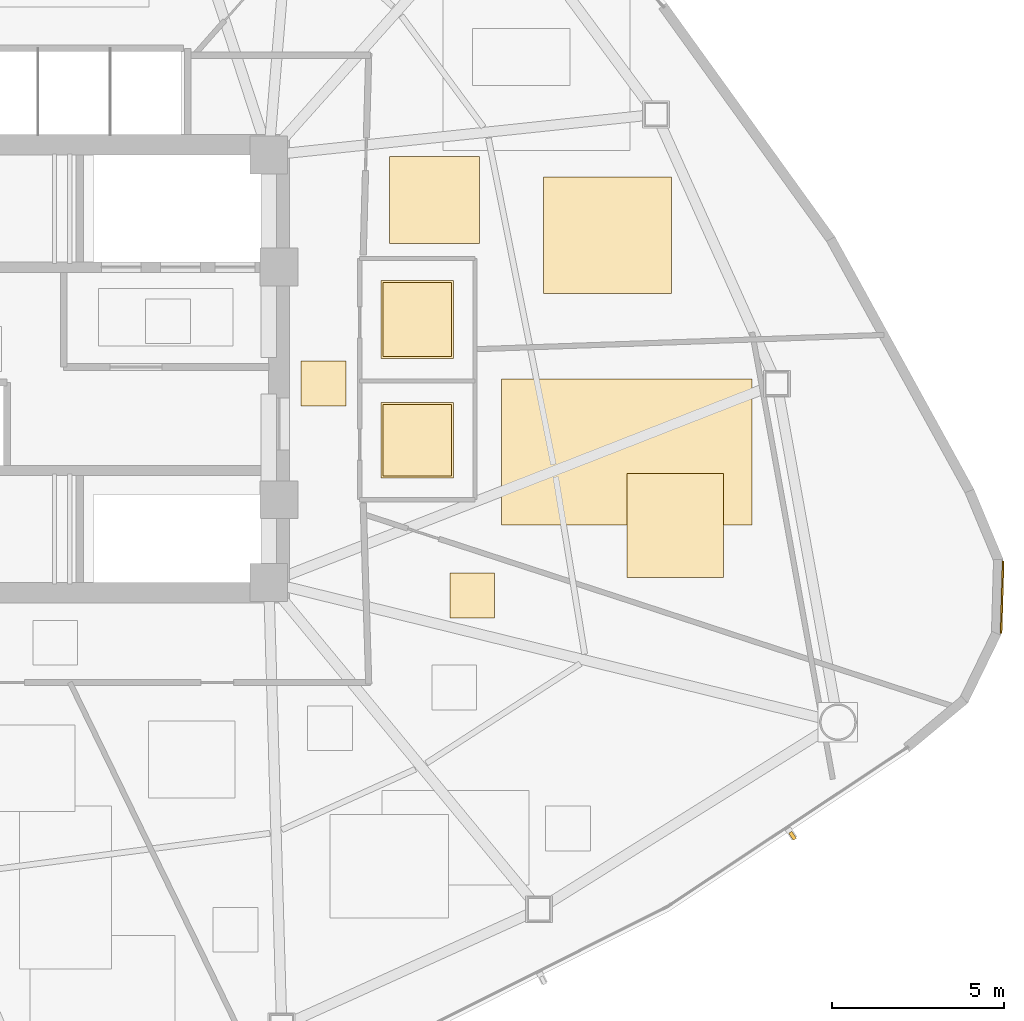
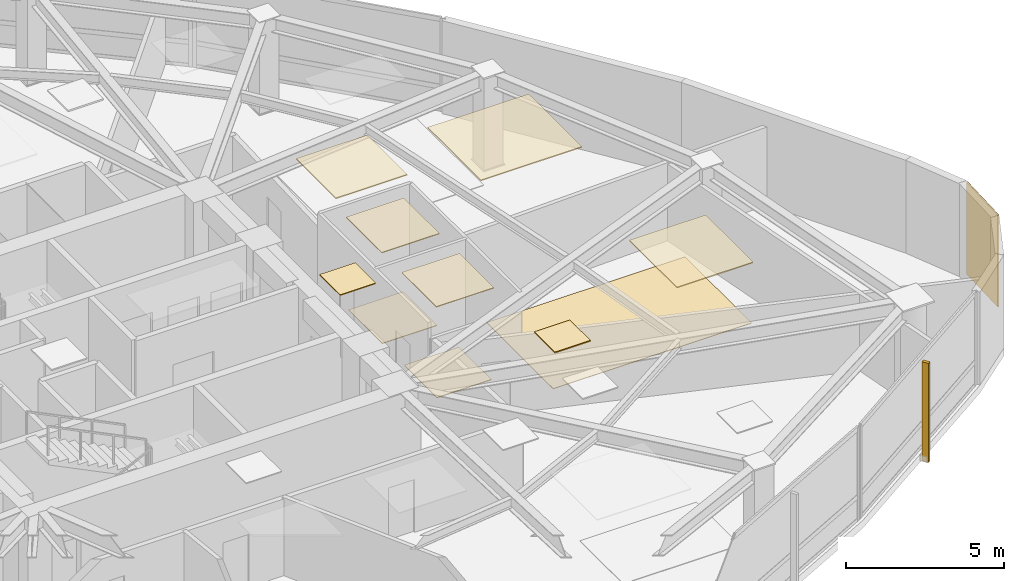
# One storey, part 16 of 17: 11 coverings, 1 shading device.
"""IFC4 building model written with IfcOpenShell, lengths in metres."""

from ifc_helpers import new_model, si_unit, direction, frame, origin, origin_2d, place, context, subcontext, project, spatial, polyline, rectangle, outline, extrude, source, transform, mapped, material, layer, layer_set, type_object, type_shapes, element, save


model = new_model("IFC4")

# Units and contexts
model_context = context("Model", 3, precision=1e-05, world=origin(), true_north=direction((0.0, 1.0)))
body_context = subcontext(model_context, "Body", "Model", "MODEL_VIEW")
ifc_project = project(units=[si_unit("LENGTHUNIT", "METRE"), si_unit("AREAUNIT", "SQUARE_METRE"), si_unit("VOLUMEUNIT", "CUBIC_METRE"), si_unit("PLANEANGLEUNIT", "RADIAN"), si_unit("MASSUNIT", "GRAM", prefix="KILO")], contexts=[model_context])

# Site, building, storey
site_placement = place(None, origin())
site = spatial("IfcSite", under=ifc_project, at=site_placement, CompositionType="ELEMENT")
building_placement = place(site_placement, origin())
building = spatial("IfcBuilding", under=site, at=building_placement, Name="Tavelor Broadcast Tower", CompositionType="ELEMENT")
storey_placement = place(building_placement, frame((0.0, 0.0, 93.89990234375)))
storey = spatial("IfcBuildingStorey", under=building, at=storey_placement, Name="L22", CompositionType="ELEMENT", Elevation=93.89990234375)

# Coverings
ifc_material_1 = material(Name="Copper-Bronze Anodized Aluminium", Category="aluminium")
ifc_layer_1 = layer(ifc_material_1, 0.050048828125)
ifc_layer_set_1 = layer_set([ifc_layer_1], Name="Copper-Bronze Anodized Aluminium")
covering_type_1 = type_object("IfcCoveringType", Name="Champagne-Bronze Corner Pier Metal Cladding 50 mm", PredefinedType="CLADDING", material=ifc_layer_set_1)
covering_1_placement = place(storey_placement, frame((77.881103515625, 38.373291015625, 0.02001953125), z_axis=(0.0, 0.0, 1.0), x_axis=(0.028793952368, 0.999585368194, 0.0)))
element("IfcCovering", 1, at=covering_1_placement, inside=storey, type_object=covering_type_1, Name="L22 Champagne-Bronze Corner Cladding 23", PredefinedType="CLADDING", context=body_context, shape_type="SweptSolid", body=[
    extrude(rectangle(XDim=2.097412109375, YDim=0.050048828125, at=origin_2d()), origin(), (0.0, 0.0, 1.0), 3.56005859375),
])
ifc_material_2 = material(Name="Architectural Anodized Aluminium", Category="aluminium")
ifc_layer_2 = layer(ifc_material_2, 0.034912109375)
ifc_layer_set_2 = layer_set([ifc_layer_2], Name="Architectural Anodized Aluminium")
covering_type_2 = type_object("IfcCoveringType", Name="Demountable Metal Tile Corridor Ceiling 35 mm", PredefinedType="CEILING", material=ifc_layer_set_2)
covering_2_placement = place(storey_placement, frame((0.0, 0.0, 3.565185546875)))
element("IfcCovering", 2, at=covering_2_placement, inside=storey, type_object=covering_type_2, Name="L22 Suspended Acoustic Ceiling 0924", PredefinedType="CEILING", context=body_context, shape_type="SweptSolid", body=[
    extrude(outline(polyline([(57.5400390625, 43.925048828125), (58.840087890625, 43.925048828125), (58.840087890625, 45.22509765625), (57.5400390625, 45.22509765625), (57.5400390625, 43.925048828125)])), origin(), (0.0, 0.0, 1.0), 0.034912109375),
])
ifc_material_3 = material(Name="Acoustic Nylon Carpet Tile")
ifc_layer_3 = layer(ifc_material_3, 0.02001953125)
ifc_layer_set_3 = layer_set([ifc_layer_3], Name="Acoustic Nylon Carpet Tile")
covering_type_3 = type_object("IfcCoveringType", Name="Heavy-Duty Acoustic Broadcast Carpet Tile 20 mm", PredefinedType="FLOORING", material=ifc_layer_set_3)
covering_3_placement = place(storey_placement, origin())
element("IfcCovering", 3, at=covering_3_placement, inside=storey, type_object=covering_type_3, Name="L22 Broadcast Floor Finish 0338", PredefinedType="FLOORING", context=body_context, shape_type="SweptSolid", body=[
    extrude(outline(polyline([(63.35302734375, 40.472412109375), (70.627197265625, 40.472412109375), (70.627197265625, 44.7041015625), (63.35302734375, 44.7041015625), (63.35302734375, 40.472412109375)])), origin(), (0.0, 0.0, 1.0), 0.02001953125),
])
ifc_layer_4 = layer(ifc_material_2, 0.030029296875)
ifc_layer_set_4 = layer_set([ifc_layer_4], Name="Architectural Anodized Aluminium")
covering_type_4 = type_object("IfcCoveringType", Name="Moisture-Resistant Washroom Ceiling 30 mm", PredefinedType="CEILING", material=ifc_layer_set_4)
covering_4_placement = place(storey_placement, frame((0.0, 0.0, 3.570068359375)))
element("IfcCovering", 4, at=covering_4_placement, inside=storey, type_object=covering_type_4, Name="L22 Suspended Acoustic Ceiling 0927", PredefinedType="CEILING", context=body_context, shape_type="SweptSolid", body=[
    extrude(outline(polyline([(59.85302734375, 41.828369140625), (61.967041015625, 41.828369140625), (61.967041015625, 44.021484375), (59.85302734375, 44.021484375), (59.85302734375, 41.828369140625)])), origin(), (0.0, 0.0, 1.0), 0.030029296875),
])
covering_5_placement = place(storey_placement, frame((0.0, 0.0, 3.570068359375)))
element("IfcCovering", 5, at=covering_5_placement, inside=storey, type_object=covering_type_4, Name="L22 Suspended Acoustic Ceiling 0928", PredefinedType="CEILING", context=body_context, shape_type="SweptSolid", body=[
    extrude(outline(polyline([(59.85302734375, 45.29248046875), (61.967041015625, 45.29248046875), (61.967041015625, 47.5576171875), (59.85302734375, 47.5576171875), (59.85302734375, 45.29248046875)])), origin(), (0.0, 0.0, 1.0), 0.030029296875),
])
ifc_material_4 = material(Name="Slip-Resistant Porcelain Tile")
ifc_layer_5 = layer(ifc_material_4, 0.02490234375)
ifc_layer_set_5 = layer_set([ifc_layer_5], Name="Slip-Resistant Porcelain Tile")
covering_type_5 = type_object("IfcCoveringType", Name="Slip-Resistant Porcelain Wet-Area Floor Tile 25 mm", PredefinedType="FLOORING", material=ifc_layer_set_5)
covering_6_placement = place(storey_placement, origin())
element("IfcCovering", 6, at=covering_6_placement, inside=storey, type_object=covering_type_5, Name="L22 Broadcast Floor Finish 0326", PredefinedType="FLOORING", context=body_context, shape_type="SweptSolid", body=[
    extrude(outline(polyline([(59.91064453125, 41.885986328125), (61.909423828125, 41.885986328125), (61.909423828125, 43.964111328125), (59.91064453125, 43.964111328125), (59.91064453125, 41.885986328125)])), origin(), (0.0, 0.0, 1.0), 0.025146484375),
])
covering_7_placement = place(storey_placement, origin())
element("IfcCovering", 7, at=covering_7_placement, inside=storey, type_object=covering_type_5, Name="L22 Broadcast Floor Finish 0327", PredefinedType="FLOORING", context=body_context, shape_type="SweptSolid", body=[
    extrude(outline(polyline([(59.91064453125, 45.35009765625), (61.909423828125, 45.35009765625), (61.909423828125, 47.5), (59.91064453125, 47.5), (59.91064453125, 45.35009765625)])), origin(), (0.0, 0.0, 1.0), 0.025146484375),
])
ifc_material_5 = material(Name="Acoustic Mineral Fibre Tile")
ifc_layer_6 = layer(ifc_material_5, 0.0400390625)
ifc_layer_set_6 = layer_set([ifc_layer_6], Name="Acoustic Mineral Fibre Tile")
covering_type_6 = type_object("IfcCoveringType", Name="Suspended Acoustic Mineral-Fibre Office Ceiling 40 mm", PredefinedType="CEILING", material=ifc_layer_set_6)
covering_8_placement = place(storey_placement, frame((0.0, 0.0, 3.56005859375)))
element("IfcCovering", 8, at=covering_8_placement, inside=storey, type_object=covering_type_6, Name="L22 Suspended Acoustic Ceiling 0930", PredefinedType="CEILING", context=body_context, shape_type="SweptSolid", body=[
    extrude(outline(polyline([(61.8564453125, 37.773681640625), (63.156494140625, 37.773681640625), (63.156494140625, 39.073486328125), (61.8564453125, 39.073486328125), (61.8564453125, 37.773681640625)])), origin(), (0.0, 0.0, 1.0), 0.0400390625),
])
covering_9_placement = place(storey_placement, frame((0.0, 0.0, 3.56005859375)))
element("IfcCovering", 9, at=covering_9_placement, inside=storey, type_object=covering_type_6, Name="L22 Suspended Acoustic Ceiling 0962", PredefinedType="CEILING", context=body_context, shape_type="SweptSolid", body=[
    extrude(outline(polyline([(64.580078125, 47.189697265625), (68.2841796875, 47.189697265625), (68.2841796875, 50.564697265625), (64.580078125, 50.564697265625), (64.580078125, 47.189697265625)])), origin(), (0.0, 0.0, 1.0), 0.0400390625),
])
covering_10_placement = place(storey_placement, frame((0.0, 0.0, 3.56005859375)))
element("IfcCovering", 10, at=covering_10_placement, inside=storey, type_object=covering_type_6, Name="L22 Suspended Acoustic Ceiling 0963", PredefinedType="CEILING", context=body_context, shape_type="SweptSolid", body=[
    extrude(outline(polyline([(60.101318359375, 48.6298828125), (62.71533203125, 48.6298828125), (62.71533203125, 51.154052734375), (60.101318359375, 51.154052734375), (60.101318359375, 48.6298828125)])), origin(), (0.0, 0.0, 1.0), 0.0400390625),
])
covering_11_placement = place(storey_placement, frame((0.0, 0.0, 3.56005859375)))
element("IfcCovering", 11, at=covering_11_placement, inside=storey, type_object=covering_type_6, Name="L22 Suspended Acoustic Ceiling 0965", PredefinedType="CEILING", context=body_context, shape_type="SweptSolid", body=[
    extrude(outline(polyline([(67.001953125, 38.94140625), (69.79931640625, 38.94140625), (69.79931640625, 41.95654296875), (67.001953125, 41.95654296875), (67.001953125, 38.94140625)])), origin(), (0.0, 0.0, 1.0), 0.0400390625),
])

# Shading device
ifc_material_6 = material(Name="Kiln-Fired Glazed Terracotta", Category="masonry")
shading_device_type = type_object("IfcShadingDeviceType", Name="Extruded Terracotta Baguette Sun-Screen 110x240", PredefinedType="JALOUSIE", material=ifc_material_6)
shared_shape = source(origin(), body_context, "Body", "SweptSolid", [
    extrude(rectangle(XDim=0.110107421875, YDim=0.239990234375, at=origin_2d()), origin(), (0.0, 0.0, 1.0), 3.840087890625),
])
type_shapes(shading_device_type, [shared_shape])
shading_device_placement = place(storey_placement, frame((71.802978515625, 31.447998046875, -0.259765625), z_axis=(0.0, 0.0, 1.0), x_axis=(0.833114360053, 0.553100771174, 0.0)))
element("IfcShadingDevice", 12, at=shading_device_placement, inside=storey, type_object=shading_device_type, Name="L22 Terracotta Baguette Fin 224", PredefinedType="JALOUSIE", context=body_context, shape_type="MappedRepresentation", body=[
    mapped(shared_shape, transform((0.0, 0.0, 0.0), scale=1.0)),
])

save(model, "model.ifc")
